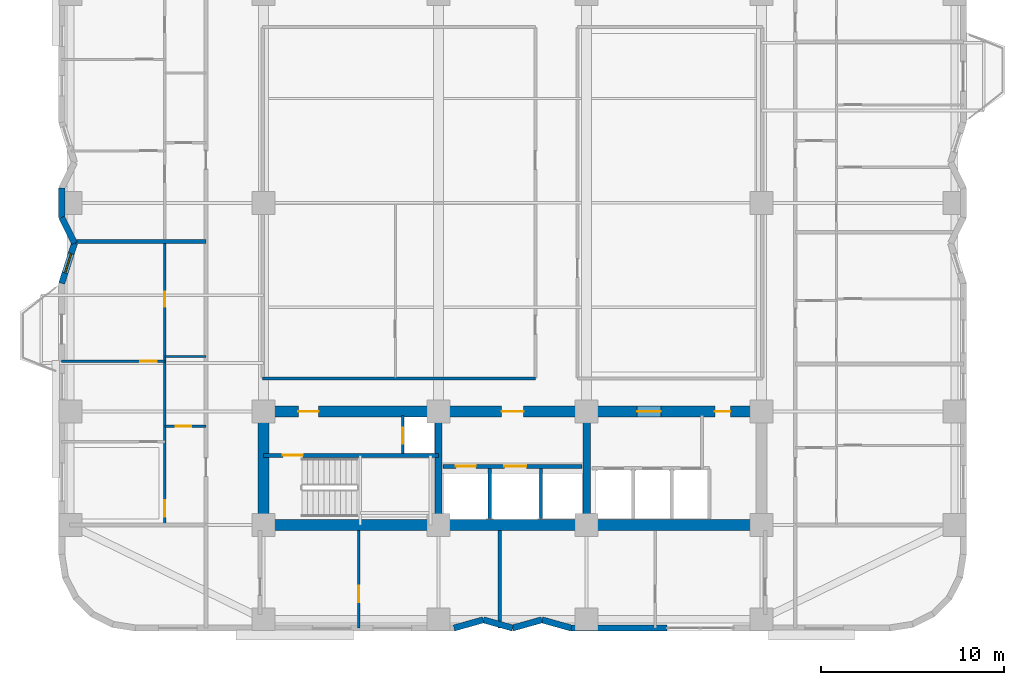
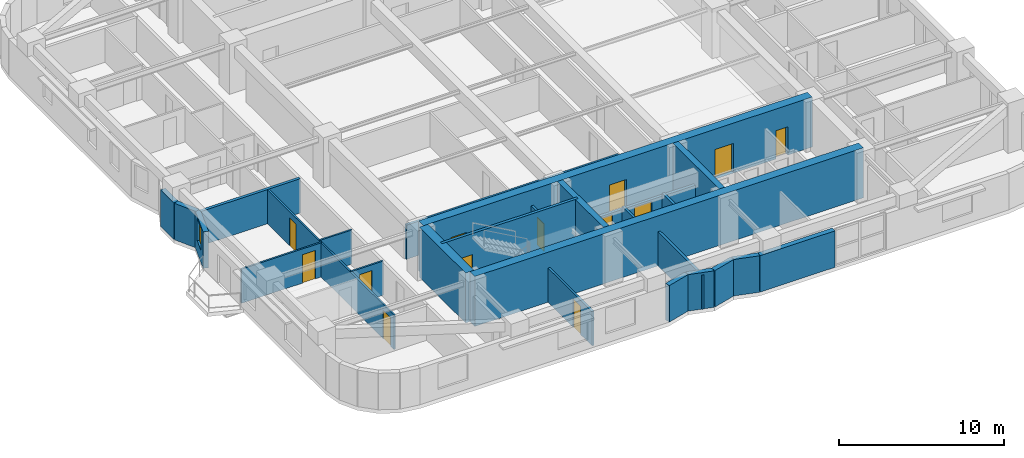
# One storey, part 6 of 13: 26 walls, 13 doors, 1 window, 14 openings.
"""IFC4 building model written with IfcOpenShell, lengths in metres."""

import ifcopenshell
import ifcopenshell.guid

model = None  # the IFC model being written
_history = None  # IfcOwnerHistory: only IFC2X3 demands one
_inside = {}  # id of a spatial element -> (the spatial element, [elements in it])
_under = {}  # id of a project, library or spatial element -> (it, [spatial elements below it])
_declared = {}  # id of a project -> (the project, [libraries it declares])
_typed = {}  # id of a type object -> (the type object, [elements of that type])
_made_of = {}  # id of a material, layer set ... -> (it, [elements and type objects made of it])


def new_model(schema):
    """Start an empty IFC model of exactly this schema.

    Asked for "IFC4X3", IfcOpenShell would pick the latest addendum, in which some entities
    have other attributes; the version numbers below select the first issue.
    IFC2X3 requires an IfcOwnerHistory on every rooted entity: one is made here for all.
    """
    global model, _history
    if schema == "IFC4X3":
        model = ifcopenshell.file(schema_version=(4, 3, 0, 0))
    else:
        model = ifcopenshell.file(schema=schema)
    _inside.clear()
    _under.clear()
    _declared.clear()
    _typed.clear()
    _made_of.clear()
    _history = None
    if model.schema == "IFC2X3":
        org = make("IfcOrganization", Name="unknown")
        user = make(
            "IfcPersonAndOrganization",
            ThePerson=make("IfcPerson", FamilyName="unknown"),
            TheOrganization=org,
        )
        app = make(
            "IfcApplication",
            ApplicationDeveloper=org,
            Version="unknown",
            ApplicationFullName="unknown",
            ApplicationIdentifier="unknown",
        )
        _history = make(
            "IfcOwnerHistory",
            OwningUser=user,
            OwningApplication=app,
            ChangeAction="ADDED",
            CreationDate=0,
        )
    return model


def make(cls, **values):
    """One entity of the class cls with the attributes given. An attribute that is None is left unset."""
    return model.create_entity(
        cls, **{name: value for name, value in values.items() if value is not None}
    )


def rooted(cls, **values):
    """An entity with a GlobalId (a new one), such as an element, a storey or a relation."""
    return make(cls, GlobalId=ifcopenshell.guid.new(), OwnerHistory=_history, **values)


def si_unit(unit_type, name, prefix=None):
    """IfcSIUnit, for example si_unit("LENGTHUNIT", "METRE", prefix="MILLI")."""
    return make("IfcSIUnit", UnitType=unit_type, Prefix=prefix, Name=name)


def assignment(units):
    """IfcUnitAssignment: the units of a project."""
    return None if units is None else make("IfcUnitAssignment", Units=units)


def point(xyz):
    """IfcCartesianPoint."""
    return None if xyz is None else make("IfcCartesianPoint", Coordinates=xyz)


def direction(xyz):
    """IfcDirection."""
    return None if xyz is None else make("IfcDirection", DirectionRatios=xyz)


def frame(location, z_axis=None, x_axis=None):
    """IfcAxis2Placement3D, a coordinate frame: its origin and axes. An axis left out is left unset."""
    return make(
        "IfcAxis2Placement3D",
        Location=point(location),
        Axis=direction(z_axis),
        RefDirection=direction(x_axis),
    )


def frame_2d(location, x_axis=None):
    """IfcAxis2Placement2D, a coordinate frame in the plane: its origin and x axis."""
    return make(
        "IfcAxis2Placement2D", Location=point(location), RefDirection=direction(x_axis)
    )


def origin():
    """The frame at (0, 0, 0) with its axes left unset."""
    return frame((0.0, 0.0, 0.0))


def place(relative_to, where):
    """IfcLocalPlacement: puts the frame where relative to a parent placement (None: the world)."""
    return make(
        "IfcLocalPlacement", PlacementRelTo=relative_to, RelativePlacement=where
    )


def context(
    kind, dimensions, precision=None, world=None, true_north=None, identifier=None
):
    """IfcGeometricRepresentationContext, for example the 3D "Model" context."""
    return make(
        "IfcGeometricRepresentationContext",
        ContextIdentifier=identifier,
        ContextType=kind,
        CoordinateSpaceDimension=dimensions,
        Precision=precision,
        WorldCoordinateSystem=world,
        TrueNorth=true_north,
    )


def subcontext(parent, identifier, kind, view, scale=None):
    """IfcGeometricRepresentationSubContext, for example "Body" below "Model"."""
    return make(
        "IfcGeometricRepresentationSubContext",
        ContextIdentifier=identifier,
        ContextType=kind,
        ParentContext=parent,
        TargetScale=scale,
        TargetView=view,
    )


def project(units=None, contexts=None):
    """IfcProject with its units and contexts."""
    return rooted(
        "IfcProject",
        Name="project",
        RepresentationContexts=contexts,
        UnitsInContext=assignment(units),
    )


def spatial(cls, under=None, at=None, **own):
    """A site, building, storey or space (cls), placed at a placement, below another one or the project."""
    s = rooted(cls, ObjectPlacement=at, **own)
    if under is not None:
        _under.setdefault(under.id(), (under, []))[1].append(s)
    return s


def profile(cls, at=None, kind="AREA", **sizes):
    """A parametric profile (cls). Its sizes go by their IFC names, for example OverallWidth=200.0."""
    return make(cls, ProfileType=kind, Position=at, **sizes)


def rectangle(**sizes):
    """IfcRectangleProfileDef."""
    return profile("IfcRectangleProfileDef", **sizes)


def extrude(swept, where, along, depth):
    """IfcExtrudedAreaSolid: the profile swept, set in the frame where, extruded along a direction by depth."""
    return make(
        "IfcExtrudedAreaSolid",
        SweptArea=swept,
        Position=where,
        ExtrudedDirection=direction(along),
        Depth=depth,
    )


def shape(context_of_items, identifier, shape_type, items):
    """IfcShapeRepresentation: the items that make up one representation, for example the "Body"."""
    return make(
        "IfcShapeRepresentation",
        ContextOfItems=context_of_items,
        RepresentationIdentifier=identifier,
        RepresentationType=shape_type,
        Items=items,
    )


def material(Name=None, Category=None):
    """IfcMaterial."""
    return make("IfcMaterial", Name=Name, Category=Category)


def layer(
    of_material, thickness, ventilated=None, Name=None, Category=None, Priority=None
):
    """IfcMaterialLayer: one layer of a wall or slab, of a material (None: an air gap)."""
    return make(
        "IfcMaterialLayer",
        Material=of_material,
        LayerThickness=thickness,
        IsVentilated=ventilated,
        Name=Name,
        Category=Category,
        Priority=Priority,
    )


def layer_set(layers, Name=None):
    """IfcMaterialLayerSet."""
    return make("IfcMaterialLayerSet", MaterialLayers=layers, LayerSetName=Name)


def made_of(thing, what):
    """Note that an element or type object is made of a material, layer set ...; save() writes the relation."""
    if what is not None:
        _made_of.setdefault(what.id(), (what, []))[1].append(thing)
    return thing


def type_object(cls, material=None, **own):
    """A type object (cls), such as IfcWallType, which elements share."""
    return made_of(rooted(cls, **own), material)


def element(
    cls,
    number,
    at=None,
    inside=None,
    cuts=None,
    type_object=None,
    material=None,
    context=None,
    identifier="Body",
    shape_type=None,
    held_by="IfcProductDefinitionShape",
    body=None,
    shapes=None,
    **own,
):
    """One element of the class cls, such as IfcWall. Its Tag is "e" and its number.

    at: its placement. inside: the storey or other place that contains it. cuts: it is an
    opening in that element (IfcRelVoidsElement). A single representation is given by context,
    identifier, shape_type and body (its items); several are given by shapes. held_by: the class
    of the entity that holds the representations. save() writes the other relations.
    """
    e = rooted(cls, Tag="e%d" % number, ObjectPlacement=at, **own)
    if body is not None:
        shapes = [shape(context, identifier, shape_type, body)]
    if shapes is not None:
        e.Representation = make(held_by, Representations=shapes)
    if inside is not None:
        _inside.setdefault(inside.id(), (inside, []))[1].append(e)
    if cuts is not None:
        rooted(
            "IfcRelVoidsElement", RelatingBuildingElement=cuts, RelatedOpeningElement=e
        )
    if type_object is not None:
        _typed.setdefault(type_object.id(), (type_object, []))[1].append(e)
    return made_of(e, material)


def fill(opening, filler):
    """IfcRelFillsElement: the door or window that sits in an opening."""
    return rooted(
        "IfcRelFillsElement",
        RelatingOpeningElement=opening,
        RelatedBuildingElement=filler,
    )


def aggregate(whole, parts):
    """IfcRelAggregates: a whole, such as a stair, and the parts it consists of."""
    return rooted("IfcRelAggregates", RelatingObject=whole, RelatedObjects=parts)


def save(model, path):
    """Write the relations noted so far, then the file.

    IfcRelAggregates (storeys below a building ...), IfcRelContainedInSpatialStructure (elements
    in a storey), IfcRelDefinesByType, IfcRelAssociatesMaterial and IfcRelDeclares: one each for
    every whole, place, type object, material and project.
    """
    for whole, parts in _under.values():
        aggregate(whole, parts)
    for where, things in _inside.values():
        rooted(
            "IfcRelContainedInSpatialStructure",
            RelatedElements=things,
            RelatingStructure=where,
        )
    for kind, things in _typed.values():
        rooted("IfcRelDefinesByType", RelatedObjects=things, RelatingType=kind)
    for what, things in _made_of.values():
        rooted("IfcRelAssociatesMaterial", RelatedObjects=things, RelatingMaterial=what)
    for by, libraries in _declared.values():
        rooted("IfcRelDeclares", RelatingContext=by, RelatedDefinitions=libraries)
    model.write(path)


model = new_model("IFC4")

# Units and contexts
model_context = context("Model", 3, precision=1e-05, world=origin(), true_north=direction((0.0, 1.0)))
body_context = subcontext(model_context, "Body", "Model", "MODEL_VIEW")
ifc_project = project(units=[si_unit("LENGTHUNIT", "METRE"), si_unit("AREAUNIT", "SQUARE_METRE"), si_unit("VOLUMEUNIT", "CUBIC_METRE"), si_unit("PLANEANGLEUNIT", "RADIAN"), si_unit("MASSUNIT", "GRAM", prefix="KILO")], contexts=[model_context])

# Site, building, storey
site_placement = place(None, origin())
site = spatial("IfcSite", under=ifc_project, at=site_placement, CompositionType="ELEMENT")
building_placement = place(site_placement, origin())
building = spatial("IfcBuilding", under=site, at=building_placement, Name="Svetorya Sky Lyceum", CompositionType="ELEMENT")
storey_placement = place(building_placement, frame((0.0, 0.0, 58.39990234375)))
storey = spatial("IfcBuildingStorey", under=building, at=storey_placement, Name="L14", CompositionType="ELEMENT", Elevation=58.39990234375)

# Walls
ifc_material_1 = material(Name="Concrete C40/50", Category="concrete")
ifc_layer_1 = layer(ifc_material_1, 0.39990234375)
ifc_layer_set_1 = layer_set([ifc_layer_1], Name="Concrete C40/50")
wall_type_1 = type_object("IfcWallType", Name="WL-CORE-400", PredefinedType="SHEAR", material=ifc_layer_set_1)
for number, where, z_axis, x_axis, name in (
    (1, (35.14990234375, 10.89990234375, 0.0), (0.0, 0.0, 1.0), (0.0, 1.0, 0.0), "L14 SC Internal Shear Web WEB1"),
    (2, (43.25, 10.89990234375, 0.0), (0.0, 0.0, 1.0), (0.0, 1.0, 0.0), "L14 SC Internal Shear Web WEB2"),
):
    element("IfcWall", number, at=place(storey_placement, frame(where, z_axis=z_axis, x_axis=x_axis)), inside=storey, type_object=wall_type_1, Name=name, PredefinedType="SHEAR", context=body_context, shape_type="SweptSolid", body=[
        extrude(rectangle(XDim=5.60009765625, YDim=0.39990234375, at=frame_2d((2.800048828125, 0.0))), origin(), (0.0, 0.0, 1.0), 3.7001953125),
    ])
ifc_material_2 = material(Name="Concrete C60/75", Category="concrete")
ifc_layer_2 = layer(ifc_material_2, 0.60009765625)
ifc_layer_set_2 = layer_set([ifc_layer_2], Name="Concrete C60/75")
wall_type_2 = type_object("IfcWallType", Name="WL-CORE-600", PredefinedType="SHEAR", material=ifc_layer_set_2)
wall_1_placement = place(storey_placement, frame((52.800048828125, 10.60009765625, 0.0), z_axis=(0.0, 0.0, 1.0), x_axis=(-1.0, 0.0, 0.0)))
element("IfcWall", 3, at=wall_1_placement, inside=storey, type_object=wall_type_2, Name="L14 SC Outer Core Shear Wall", PredefinedType="SHEAR", context=body_context, shape_type="SweptSolid", body=[
    extrude(rectangle(XDim=27.199951171875, YDim=0.60009765625, at=frame_2d((13.60009765625, 0.0))), origin(), (0.0, 0.0, 1.0), 3.7001953125),
])
wall_2_placement = place(storey_placement, frame((25.60009765625, 10.89990234375, 0.0), z_axis=(0.0, 0.0, 1.0), x_axis=(0.0, 1.0, 0.0)))
element("IfcWall", 4, at=wall_2_placement, inside=storey, type_object=wall_type_2, Name="L14 SC West Core Shear Wall", PredefinedType="SHEAR", context=body_context, shape_type="SweptSolid", body=[
    extrude(rectangle(XDim=5.60009765625, YDim=0.60009765625, at=frame_2d((2.800048828125, 0.0))), origin(), (0.0, 0.0, 1.0), 3.7001953125),
])

# Wall, openings, doors
wall_3_placement = place(storey_placement, frame((25.60009765625, 16.800048828125, 0.0), z_axis=(0.0, 0.0, 1.0), x_axis=(1.0, 0.0, 0.0)))
wall_3 = element("IfcWall", 5, at=wall_3_placement, inside=storey, type_object=wall_type_2, Name="L14 SC Inner Core Shear Wall", PredefinedType="SHEAR", context=body_context, shape_type="SweptSolid", body=[
    extrude(rectangle(XDim=27.199951171875, YDim=0.60009765625, at=frame_2d((13.60009765625, 0.0))), origin(), (0.0, 0.0, 1.0), 3.7001953125),
])
opening_1_placement = place(wall_3_placement, frame((1.89990234375, 0.0, 0.0)))
opening_1 = element("IfcOpeningElement", 6, at=opening_1_placement, cuts=wall_3, Name="Opening D-ST1", PredefinedType="OPENING", context=body_context, shape_type="SweptSolid", body=[
    extrude(rectangle(XDim=1.10009765625, YDim=2.14990234375, at=frame_2d((0.550048828125, 1.074951171875))), frame((0.0, 0.31005859375, 0.0), z_axis=(0.0, -1.0, 0.0), x_axis=(1.0, 0.0, 0.0)), (0.0, 0.0, 1.0), 0.6201171875),
])
opening_2_placement = place(wall_3_placement, frame((13.0, 0.0, 0.0)))
opening_2 = element("IfcOpeningElement", 7, at=opening_2_placement, cuts=wall_3, Name="Opening D-FL1", PredefinedType="OPENING", context=body_context, shape_type="SweptSolid", body=[
    extrude(rectangle(XDim=1.199951171875, YDim=2.14990234375, at=frame_2d((0.60009765625, 1.074951171875))), frame((0.0, 0.31005859375, 0.0), z_axis=(0.0, -1.0, 0.0), x_axis=(1.0, 0.0, 0.0)), (0.0, 0.0, 1.0), 0.6201171875),
])
opening_3_placement = place(wall_3_placement, frame((20.39990234375, 0.0, 0.0)))
opening_3 = element("IfcOpeningElement", 8, at=opening_3_placement, cuts=wall_3, Name="Opening D-LB1", PredefinedType="OPENING", context=body_context, shape_type="SweptSolid", body=[
    extrude(rectangle(XDim=1.300048828125, YDim=2.199951171875, at=frame_2d((0.64990234375, 1.10009765625))), frame((0.0, 0.31005859375, 0.0), z_axis=(0.0, -1.0, 0.0), x_axis=(1.0, 0.0, 0.0)), (0.0, 0.0, 1.0), 0.6201171875),
])
opening_4_placement = place(wall_3_placement, frame((24.64990234375, 0.0, 0.0)))
opening_4 = element("IfcOpeningElement", 9, at=opening_4_placement, cuts=wall_3, Name="Opening D-CWC1", PredefinedType="OPENING", context=body_context, shape_type="SweptSolid", body=[
    extrude(rectangle(XDim=0.85009765625, YDim=2.10009765625, at=frame_2d((0.425048828125, 1.050048828125))), frame((0.0, 0.31005859375, 0.0), z_axis=(0.0, -1.0, 0.0), x_axis=(1.0, 0.0, 0.0)), (0.0, 0.0, 1.0), 0.6201171875),
])
ifc_material_3 = material(Name="Fire-rated galvanized steel core service closet door", Category="steel")
door_type_1 = type_object("IfcDoorType", Name="DR-CWET-850", OperationType="SINGLE_SWING_LEFT", PredefinedType="DOOR", material=ifc_material_3)
door_1_placement = place(opening_4_placement, origin())
door_1 = element("IfcDoor", 10, at=door_1_placement, inside=storey, type_object=door_type_1, Name="L14 South Core Auxiliary Door", OperationType="SINGLE_SWING_LEFT", OverallHeight=2.10009765625, OverallWidth=0.85009765625, PredefinedType="DOOR", context=body_context, shape_type="SweptSolid", body=[
    extrude(rectangle(XDim=0.85009765625, YDim=2.10009765625, at=frame_2d((0.425048828125, 1.050048828125))), frame((0.0, 0.02490234375, 0.0), z_axis=(0.0, -1.0, 0.0), x_axis=(1.0, 0.0, 0.0)), (0.0, 0.0, 1.0), 0.050048828125),
])
fill(opening_4, door_1)
ifc_material_4 = material(Name="Powder-coated insulated galvanized stair fire door")
door_type_2 = type_object("IfcDoorType", Name="DR-FIRE-1100", OperationType="SINGLE_SWING_LEFT", PredefinedType="DOOR", material=ifc_material_4)
door_2_placement = place(opening_1_placement, origin())
door_2 = element("IfcDoor", 11, at=door_2_placement, inside=storey, type_object=door_type_2, Name="L14 South Stair Airlock Door", OperationType="SINGLE_SWING_RIGHT", OverallHeight=2.14990234375, OverallWidth=1.10009765625, PredefinedType="DOOR", context=body_context, shape_type="SweptSolid", body=[
    extrude(rectangle(XDim=1.10009765625, YDim=2.14990234375, at=frame_2d((0.550048828125, 1.074951171875))), frame((0.0, 0.02490234375, 0.0), z_axis=(0.0, -1.0, 0.0), x_axis=(1.0, 0.0, 0.0)), (0.0, 0.0, 1.0), 0.050048828125),
])
fill(opening_1, door_2)
ifc_material_5 = material(Name="Powder-coated insulated galvanized fire door")
door_type_3 = type_object("IfcDoorType", Name="DR-FIRE-1200", OperationType="SINGLE_SWING_LEFT", PredefinedType="DOOR", material=ifc_material_5)
door_3_placement = place(opening_2_placement, origin())
door_3 = element("IfcDoor", 12, at=door_3_placement, inside=storey, type_object=door_type_3, Name="L14 South Firefighting Lift Lobby Door", OperationType="SINGLE_SWING_LEFT", OverallHeight=2.14990234375, OverallWidth=1.199951171875, PredefinedType="DOOR", context=body_context, shape_type="SweptSolid", body=[
    extrude(rectangle(XDim=1.199951171875, YDim=2.14990234375, at=frame_2d((0.60009765625, 1.074951171875))), frame((0.0, 0.02490234375, 0.0), z_axis=(0.0, -1.0, 0.0), x_axis=(1.0, 0.0, 0.0)), (0.0, 0.0, 1.0), 0.050048828125),
])
fill(opening_2, door_3)
ifc_material_6 = material(Name="Glazed fire-rated aluminium lobby door", Category="aluminium")
door_type_4 = type_object("IfcDoorType", Name="DR-LOB-1300", OperationType="SINGLE_SWING_LEFT", PredefinedType="DOOR", material=ifc_material_6)
door_4_placement = place(opening_3_placement, origin())
door_4 = element("IfcDoor", 13, at=door_4_placement, inside=storey, type_object=door_type_4, Name="L14 Low-Rise Lift Lobby Door", OperationType="SINGLE_SWING_RIGHT", OverallHeight=2.199951171875, OverallWidth=1.300048828125, PredefinedType="DOOR", context=body_context, shape_type="SweptSolid", body=[
    extrude(rectangle(XDim=1.300048828125, YDim=2.199951171875, at=frame_2d((0.64990234375, 1.10009765625))), frame((0.0, 0.02490234375, 0.0), z_axis=(0.0, -1.0, 0.0), x_axis=(1.0, 0.0, 0.0)), (0.0, 0.0, 1.0), 0.050048828125),
])
fill(opening_3, door_4)

# Walls
ifc_material_7 = material(Name="Putilovo limestone rainscreen on autoclaved cellular masonry", Category="masonry")
ifc_layer_3 = layer(ifc_material_7, 0.340087890625)
ifc_layer_set_3 = layer_set([ifc_layer_3], Name="Putilovo limestone rainscreen on autoclaved cellular masonry")
wall_type_3 = type_object("IfcWallType", Name="WL-EXT-340", PredefinedType="SOLIDWALL", material=ifc_layer_set_3)
wall_4_placement = place(storey_placement, frame((36.0, 4.969970703125, 0.0), z_axis=(0.0, 0.0, 1.0), x_axis=(0.962662902433, 0.270703040766, 0.0)))
element("IfcWall", 14, at=wall_4_placement, inside=storey, type_object=wall_type_3, Name="L14 Limestone Exterior Wall 7M", PredefinedType="SOLIDWALL", context=body_context, shape_type="SweptSolid", body=[
    extrude(rectangle(XDim=1.662109375, YDim=0.340087890625, at=frame_2d((0.8310546875, 0.0))), origin(), (0.0, 0.0, 1.0), 2.7001953125),
])
wall_5_placement = place(storey_placement, frame((37.60009765625, 5.419921875, 0.0), z_axis=(0.0, 0.0, 1.0), x_axis=(0.962652136636, -0.270741322725, 0.0)))
element("IfcWall", 15, at=wall_5_placement, inside=storey, type_object=wall_type_3, Name="L14 Limestone Exterior Wall 8M", PredefinedType="SOLIDWALL", context=body_context, shape_type="SweptSolid", body=[
    extrude(rectangle(XDim=1.661865234375, YDim=0.340087890625, at=frame_2d((0.8310546875, 0.0))), origin(), (0.0, 0.0, 1.0), 2.7001953125),
])
wall_6_placement = place(storey_placement, frame((39.199951171875, 4.969970703125, 0.0), z_axis=(0.0, 0.0, 1.0), x_axis=(0.962662902433, 0.270703040766, 0.0)))
element("IfcWall", 16, at=wall_6_placement, inside=storey, type_object=wall_type_3, Name="L14 Limestone Exterior Wall 9M", PredefinedType="SOLIDWALL", context=body_context, shape_type="SweptSolid", body=[
    extrude(rectangle(XDim=1.662109375, YDim=0.340087890625, at=frame_2d((0.8310546875, 0.0))), origin(), (0.0, 0.0, 1.0), 2.7001953125),
])
wall_7_placement = place(storey_placement, frame((40.800048828125, 5.419921875, 0.0), z_axis=(0.0, 0.0, 1.0), x_axis=(0.962652136636, -0.270741322725, 0.0)))
element("IfcWall", 17, at=wall_7_placement, inside=storey, type_object=wall_type_3, Name="L14 Limestone Exterior Wall 10M", PredefinedType="SOLIDWALL", context=body_context, shape_type="SweptSolid", body=[
    extrude(rectangle(XDim=1.661865234375, YDim=0.340087890625, at=frame_2d((0.8310546875, 0.0))), origin(), (0.0, 0.0, 1.0), 2.7001953125),
])
wall_8_placement = place(storey_placement, frame((42.39990234375, 4.969970703125, 0.0), z_axis=(0.0, 0.0, 1.0), x_axis=(1.0, 0.0, 0.0)))
element("IfcWall", 18, at=wall_8_placement, inside=storey, type_object=wall_type_3, Name="L14 Limestone Exterior Wall 11A", PredefinedType="SOLIDWALL", context=body_context, shape_type="SweptSolid", body=[
    extrude(rectangle(XDim=5.25, YDim=0.340087890625, at=frame_2d((2.625, 0.0))), origin(), (0.0, 0.0, 1.0), 2.7001953125),
])
wall_9_placement = place(storey_placement, frame((14.570068359375, 29.0, 0.0), z_axis=(0.0, 0.0, 1.0), x_axis=(0.0, -1.0, 0.0)))
element("IfcWall", 19, at=wall_9_placement, inside=storey, type_object=wall_type_3, Name="L14 Limestone Exterior Wall 43M", PredefinedType="SOLIDWALL", context=body_context, shape_type="SweptSolid", body=[
    extrude(rectangle(XDim=1.60009765625, YDim=0.340087890625, at=frame_2d((0.800048828125, 0.0))), origin(), (0.0, 0.0, 1.0), 2.7001953125),
])
wall_10_placement = place(storey_placement, frame((14.570068359375, 27.39990234375, 0.0), z_axis=(0.0, 0.0, 1.0), x_axis=(0.4472135955, -0.894427191, 0.0)))
element("IfcWall", 20, at=wall_10_placement, inside=storey, type_object=wall_type_3, Name="L14 Limestone Exterior Wall 44M", PredefinedType="SOLIDWALL", context=body_context, shape_type="SweptSolid", body=[
    extrude(rectangle(XDim=1.565185546875, YDim=0.340087890625, at=frame_2d((0.78271484375, 0.0))), origin(), (0.0, 0.0, 1.0), 2.7001953125),
])

# Wall, opening, window
wall_11_placement = place(storey_placement, frame((15.27001953125, 26.0, 0.0), z_axis=(0.0, 0.0, 1.0), x_axis=(-0.303190562272, -0.952929946507, 0.0)))
wall_11 = element("IfcWall", 21, at=wall_11_placement, inside=storey, type_object=wall_type_3, Name="L14 Limestone Exterior Wall 45M", PredefinedType="SOLIDWALL", context=body_context, shape_type="SweptSolid", body=[
    extrude(rectangle(XDim=2.30859375, YDim=0.340087890625, at=frame_2d((1.154296875, 0.0))), origin(), (0.0, 0.0, 1.0), 2.7001953125),
])
opening_5_placement = place(wall_11_placement, frame((0.604248046875, 0.0, 0.889892578125)))
opening_5 = element("IfcOpeningElement", 22, at=opening_5_placement, cuts=wall_11, Name="Opening W-R3", PredefinedType="OPENING", context=body_context, shape_type="SweptSolid", body=[
    extrude(rectangle(XDim=1.10009765625, YDim=1.64990234375, at=frame_2d((0.550048828125, 0.824951171875))), frame((0.0, 0.179931640625, 0.0), z_axis=(0.0, -1.0, 0.0), x_axis=(1.0, 0.0, 0.0)), (0.0, 0.0, 1.0), 0.360107421875),
])
ifc_material_8 = material(Name="Thermally broken aluminium frame with triple low-E glazing", Category="aluminium")
window_type = type_object("IfcWindowType", Name="WN-RES-110", PartitioningType="SINGLE_PANEL", PredefinedType="WINDOW", material=ifc_material_8)
window_placement = place(opening_5_placement, origin())
window = element("IfcWindow", 23, at=window_placement, inside=storey, type_object=window_type, Name="L14 Facade Window W-R3.45M.1", OverallHeight=1.64990234375, OverallWidth=1.10009765625, PartitioningType="SINGLE_PANEL", PredefinedType="WINDOW", context=body_context, shape_type="SweptSolid", body=[
    extrude(rectangle(XDim=1.10009765625, YDim=1.64990234375, at=frame_2d((0.550048828125, 0.824951171875))), frame((0.0, 0.030029296875, 0.0), z_axis=(0.0, -1.0, 0.0), x_axis=(1.0, 0.0, 0.0)), (0.0, 0.0, 1.0), 0.06005859375),
])
fill(opening_5, window)

# Wall, opening, door
ifc_material_9 = material(Name="Twin-stud galvanized framing with double fireboard", Category="gypsum")
ifc_layer_4 = layer(ifc_material_9, 0.1201171875)
ifc_layer_set_4 = layer_set([ifc_layer_4], Name="Twin-stud galvanized framing with double fireboard")
wall_type_4 = type_object("IfcWallType", Name="WL-PART-120", PredefinedType="PARTITIONING", material=ifc_layer_set_4)
wall_12_placement = place(storey_placement, frame((20.199951171875, 16.0, 0.0), z_axis=(0.0, 0.0, 1.0), x_axis=(1.0, 0.0, 0.0)))
wall_12 = element("IfcWall", 24, at=wall_12_placement, inside=storey, type_object=wall_type_4, Name="L14 Interior Partition W1-WH1", PredefinedType="PARTITIONING", context=body_context, shape_type="SweptSolid", body=[
    extrude(rectangle(XDim=2.25, YDim=0.1201171875, at=frame_2d((1.125, 0.0))), origin(), (0.0, 0.0, 1.0), 2.530029296875),
])
opening_6_placement = place(wall_12_placement, frame((0.60009765625, 0.0, 0.0)))
opening_6 = element("IfcOpeningElement", 25, at=opening_6_placement, cuts=wall_12, Name="Opening D-BT1", PredefinedType="OPENING", context=body_context, shape_type="SweptSolid", body=[
    extrude(rectangle(XDim=0.85009765625, YDim=2.10009765625, at=frame_2d((0.425048828125, 1.050048828125))), frame((0.0, 0.070068359375, 0.0), z_axis=(0.0, -1.0, 0.0), x_axis=(1.0, 0.0, 0.0)), (0.0, 0.0, 1.0), 0.14013671875),
])
ifc_material_10 = material(Name="Moisture-resistant laminate bathroom door")
door_type_5 = type_object("IfcDoorType", Name="DR-WET-850", OperationType="SINGLE_SWING_LEFT", PredefinedType="DOOR", material=ifc_material_10)
door_5_placement = place(opening_6_placement, origin())
door_5 = element("IfcDoor", 26, at=door_5_placement, inside=storey, type_object=door_type_5, Name="Apartment W1 Bathroom Door", OperationType="SINGLE_SWING_LEFT", OverallHeight=2.10009765625, OverallWidth=0.85009765625, PredefinedType="DOOR", context=body_context, shape_type="SweptSolid", body=[
    extrude(rectangle(XDim=0.85009765625, YDim=2.10009765625, at=frame_2d((0.425048828125, 1.050048828125))), frame((0.0, 0.02490234375, 0.0), z_axis=(0.0, -1.0, 0.0), x_axis=(1.0, 0.0, 0.0)), (0.0, 0.0, 1.0), 0.050048828125),
])
fill(opening_6, door_5)

# Wall
wall_13_placement = place(storey_placement, frame((20.199951171875, 19.800048828125, 0.0), z_axis=(0.0, 0.0, 1.0), x_axis=(1.0, 0.0, 0.0)))
element("IfcWall", 27, at=wall_13_placement, inside=storey, type_object=wall_type_4, Name="L14 Interior Partition W1-WH2", PredefinedType="PARTITIONING", context=body_context, shape_type="SweptSolid", body=[
    extrude(rectangle(XDim=2.25, YDim=0.1201171875, at=frame_2d((1.125, 0.0))), origin(), (0.0, 0.0, 1.0), 2.530029296875),
])

# Wall, opening, door
wall_14_placement = place(storey_placement, frame((14.570068359375, 19.550048828125, 0.0), z_axis=(0.0, 0.0, 1.0), x_axis=(1.0, 0.0, 0.0)))
wall_14 = element("IfcWall", 28, at=wall_14_placement, inside=storey, type_object=wall_type_4, Name="L14 Interior Partition W1-WL2", PredefinedType="PARTITIONING", context=body_context, shape_type="SweptSolid", body=[
    extrude(rectangle(XDim=5.6298828125, YDim=0.1201171875, at=frame_2d((2.81494140625, 0.0))), origin(), (0.0, 0.0, 1.0), 2.530029296875),
])
opening_7_placement = place(wall_14_placement, frame((4.280029296875, 0.0, 0.0)))
opening_7 = element("IfcOpeningElement", 29, at=opening_7_placement, cuts=wall_14, Name="Opening D-RM1", PredefinedType="OPENING", context=body_context, shape_type="SweptSolid", body=[
    extrude(rectangle(XDim=0.89990234375, YDim=2.10009765625, at=frame_2d((0.449951171875, 1.050048828125))), frame((0.0, 0.070068359375, 0.0), z_axis=(0.0, -1.0, 0.0), x_axis=(1.0, 0.0, 0.0)), (0.0, 0.0, 1.0), 0.14013671875),
])
ifc_material_11 = material(Name="Lacquered birch veneer internal door")
door_type_6 = type_object("IfcDoorType", Name="DR-INT-900", OperationType="SINGLE_SWING_LEFT", PredefinedType="DOOR", material=ifc_material_11)
door_6_placement = place(opening_7_placement, origin())
door_6 = element("IfcDoor", 30, at=door_6_placement, inside=storey, type_object=door_type_6, Name="Apartment W1 Bedroom 2 Door", OperationType="SINGLE_SWING_RIGHT", OverallHeight=2.10009765625, OverallWidth=0.89990234375, PredefinedType="DOOR", context=body_context, shape_type="SweptSolid", body=[
    extrude(rectangle(XDim=0.89990234375, YDim=2.10009765625, at=frame_2d((0.449951171875, 1.050048828125))), frame((0.0, 0.02490234375, 0.0), z_axis=(0.0, -1.0, 0.0), x_axis=(1.0, 0.0, 0.0)), (0.0, 0.0, 1.0), 0.050048828125),
])
fill(opening_7, door_6)

# Wall, openings, doors
wall_15_placement = place(storey_placement, frame((20.199951171875, 10.639892578125, 0.0), z_axis=(0.0, 0.0, 1.0), x_axis=(0.0, 1.0, 0.0)))
wall_15 = element("IfcWall", 31, at=wall_15_placement, inside=storey, type_object=wall_type_4, Name="L14 Interior Partition W1-WV", PredefinedType="PARTITIONING", context=body_context, shape_type="SweptSolid", body=[
    extrude(rectangle(XDim=15.408203125, YDim=0.1201171875, at=frame_2d((7.7041015625, 0.0))), origin(), (0.0, 0.0, 1.0), 2.530029296875),
])
opening_8_placement = place(wall_15_placement, frame((0.409912109375, 0.0, 0.0)))
opening_8 = element("IfcOpeningElement", 32, at=opening_8_placement, cuts=wall_15, Name="Opening D-RM1", PredefinedType="OPENING", context=body_context, shape_type="SweptSolid", body=[
    extrude(rectangle(XDim=0.89990234375, YDim=2.10009765625, at=frame_2d((0.449951171875, 1.050048828125))), frame((0.0, 0.070068359375, 0.0), z_axis=(0.0, -1.0, 0.0), x_axis=(1.0, 0.0, 0.0)), (0.0, 0.0, 1.0), 0.14013671875),
])
opening_9_placement = place(wall_15_placement, frame((11.87890625, 0.0, 0.0)))
opening_9 = element("IfcOpeningElement", 33, at=opening_9_placement, cuts=wall_15, Name="Opening D-BT2", PredefinedType="OPENING", context=body_context, shape_type="SweptSolid", body=[
    extrude(rectangle(XDim=0.820068359375, YDim=2.080078125, at=frame_2d((0.41015625, 1.0400390625))), frame((0.0, 0.070068359375, 0.0), z_axis=(0.0, -1.0, 0.0), x_axis=(1.0, 0.0, 0.0)), (0.0, 0.0, 1.0), 0.14013671875),
])
door_7_placement = place(opening_8_placement, origin())
door_7 = element("IfcDoor", 34, at=door_7_placement, inside=storey, type_object=door_type_6, Name="Apartment W1 Living Door", OperationType="SINGLE_SWING_RIGHT", OverallHeight=2.10009765625, OverallWidth=0.89990234375, PredefinedType="DOOR", context=body_context, shape_type="SweptSolid", body=[
    extrude(rectangle(XDim=0.89990234375, YDim=2.10009765625, at=frame_2d((0.449951171875, 1.050048828125))), frame((0.0, 0.02490234375, 0.0), z_axis=(0.0, -1.0, 0.0), x_axis=(1.0, 0.0, 0.0)), (0.0, 0.0, 1.0), 0.050048828125),
])
fill(opening_8, door_7)
ifc_material_12 = material(Name="Compact moisture-resistant laminate closet door")
door_type_7 = type_object("IfcDoorType", Name="DR-WET-820", OperationType="SINGLE_SWING_LEFT", PredefinedType="DOOR", material=ifc_material_12)
door_8_placement = place(opening_9_placement, origin())
door_8 = element("IfcDoor", 35, at=door_8_placement, inside=storey, type_object=door_type_7, Name="Apartment W1 Study Door", OperationType="SINGLE_SWING_LEFT", OverallHeight=2.080078125, OverallWidth=0.820068359375, PredefinedType="DOOR", context=body_context, shape_type="SweptSolid", body=[
    extrude(rectangle(XDim=0.820068359375, YDim=2.080078125, at=frame_2d((0.41015625, 1.0400390625))), frame((0.0, 0.02490234375, 0.0), z_axis=(0.0, -1.0, 0.0), x_axis=(1.0, 0.0, 0.0)), (0.0, 0.0, 1.0), 0.050048828125),
])
fill(opening_9, door_8)

# Wall, opening, door
ifc_material_13 = material(Name="Autoclaved cellular masonry blockwork with acoustic render", Category="masonry")
ifc_layer_5 = layer(ifc_material_13, 0.14990234375)
ifc_layer_set_5 = layer_set([ifc_layer_5], Name="Autoclaved cellular masonry blockwork with acoustic render")
wall_type_5 = type_object("IfcWallType", Name="WL-PART-150", PredefinedType="PARTITIONING", material=ifc_layer_set_5)
wall_16_placement = place(storey_placement, frame((33.199951171875, 14.5, 0.0), z_axis=(0.0, 0.0, 1.0), x_axis=(0.0, 1.0, 0.0)))
wall_16 = element("IfcWall", 36, at=wall_16_placement, inside=storey, type_object=wall_type_5, Name="L14 Interior Partition SC-AIRDIV", PredefinedType="PARTITIONING", context=body_context, shape_type="SweptSolid", body=[
    extrude(rectangle(XDim=2.080078125, YDim=0.14990234375, at=frame_2d((1.0400390625, 0.0))), origin(), (0.0, 0.0, 1.0), 2.530029296875),
])
opening_10_placement = place(wall_16_placement, frame((0.550048828125, 0.0, 0.0)))
opening_10 = element("IfcOpeningElement", 37, at=opening_10_placement, cuts=wall_16, Name="Opening D-SH1", PredefinedType="OPENING", context=body_context, shape_type="SweptSolid", body=[
    extrude(rectangle(XDim=0.85009765625, YDim=2.050048828125, at=frame_2d((0.425048828125, 1.02490234375))), frame((0.0, 0.0849609375, 0.0), z_axis=(0.0, -1.0, 0.0), x_axis=(1.0, 0.0, 0.0)), (0.0, 0.0, 1.0), 0.169921875),
])
ifc_material_14 = material(Name="Insulated galvanized riser inspection fire door")
door_type_8 = type_object("IfcDoorType", Name="DR-SHFT-850", OperationType="SINGLE_SWING_LEFT", PredefinedType="TRAPDOOR", material=ifc_material_14)
door_9_placement = place(opening_10_placement, origin())
door_9 = element("IfcDoor", 38, at=door_9_placement, inside=storey, type_object=door_type_8, Name="L14 South Riser Access Door", OperationType="SINGLE_SWING_RIGHT", OverallHeight=2.050048828125, OverallWidth=0.85009765625, PredefinedType="TRAPDOOR", context=body_context, shape_type="SweptSolid", body=[
    extrude(rectangle(XDim=0.85009765625, YDim=2.050048828125, at=frame_2d((0.425048828125, 1.02490234375))), frame((0.0, 0.02490234375, 0.0), z_axis=(0.0, -1.0, 0.0), x_axis=(1.0, 0.0, 0.0)), (0.0, 0.0, 1.0), 0.050048828125),
])
fill(opening_10, door_9)

wall_17_placement = place(storey_placement, frame((30.800048828125, 4.969970703125, 0.0), z_axis=(0.0, 0.0, 1.0), x_axis=(0.0, 1.0, 0.0)))
wall_17 = element("IfcWall", 39, at=wall_17_placement, inside=storey, type_object=wall_type_5, Name="L14 Interior Partition S4-D1", PredefinedType="PARTITIONING", context=body_context, shape_type="SweptSolid", body=[
    extrude(rectangle(XDim=5.330078125, YDim=0.14990234375, at=frame_2d((2.6650390625, 0.0))), origin(), (0.0, 0.0, 1.0), 2.530029296875),
])
opening_11_placement = place(wall_17_placement, frame((1.39990234375, 0.0, 0.0)))
opening_11 = element("IfcOpeningElement", 40, at=opening_11_placement, cuts=wall_17, Name="Opening D-RM1", PredefinedType="OPENING", context=body_context, shape_type="SweptSolid", body=[
    extrude(rectangle(XDim=0.89990234375, YDim=2.10009765625, at=frame_2d((0.449951171875, 1.050048828125))), frame((0.0, 0.0849609375, 0.0), z_axis=(0.0, -1.0, 0.0), x_axis=(1.0, 0.0, 0.0)), (0.0, 0.0, 1.0), 0.169921875),
])
door_10_placement = place(opening_11_placement, origin())
door_10 = element("IfcDoor", 41, at=door_10_placement, inside=storey, type_object=door_type_6, Name="L14 South Suite Door 1", OperationType="SINGLE_SWING_LEFT", OverallHeight=2.10009765625, OverallWidth=0.89990234375, PredefinedType="DOOR", context=body_context, shape_type="SweptSolid", body=[
    extrude(rectangle(XDim=0.89990234375, YDim=2.10009765625, at=frame_2d((0.449951171875, 1.050048828125))), frame((0.0, 0.02490234375, 0.0), z_axis=(0.0, -1.0, 0.0), x_axis=(1.0, 0.0, 0.0)), (0.0, 0.0, 1.0), 0.050048828125),
])
fill(opening_11, door_10)

# Walls
ifc_material_15 = material(Name="Autoclaved cellular masonry blockwork with fire render", Category="masonry")
ifc_layer_6 = layer(ifc_material_15, 0.175048828125)
ifc_layer_set_6 = layer_set([ifc_layer_6], Name="Autoclaved cellular masonry blockwork with fire render")
wall_type_6 = type_object("IfcWallType", Name="WL-PART-175", PredefinedType="PARTITIONING", material=ifc_layer_set_6)
for number, where, z_axis, x_axis, name in (
    (42, (37.949951171875, 10.949951171875, 0.0), (0.0, 0.0, 1.0), (0.0, 1.0, 0.0), "L14 Interior Partition SC-SHD1"),
    (43, (40.75, 10.949951171875, 0.0), (0.0, 0.0, 1.0), (0.0, 1.0, 0.0), "L14 Interior Partition SC-SHD2"),
):
    element("IfcWall", number, at=place(storey_placement, frame(where, z_axis=z_axis, x_axis=x_axis)), inside=storey, type_object=wall_type_6, Name=name, PredefinedType="PARTITIONING", context=body_context, shape_type="SweptSolid", body=[
        extrude(rectangle(XDim=2.75, YDim=0.175048828125, at=frame_2d((1.375, 0.0))), origin(), (0.0, 0.0, 1.0), 2.530029296875),
    ])
wall_18_placement = place(storey_placement, frame((25.550048828125, 18.60009765625, 0.0), z_axis=(0.0, 0.0, 1.0), x_axis=(1.0, 0.0, 0.0)))
element("IfcWall", 44, at=wall_18_placement, inside=storey, type_object=wall_type_6, Name="L14 Interior Partition CS-MID-W", PredefinedType="PARTITIONING", context=body_context, shape_type="SweptSolid", body=[
    extrude(rectangle(XDim=14.89990234375, YDim=0.175048828125, at=frame_2d((7.449951171875, 0.0))), origin(), (0.0, 0.0, 1.0), 2.530029296875),
])
wall_19_placement = place(storey_placement, frame((38.5, 4.969970703125, 0.0), z_axis=(0.0, 0.0, 1.0), x_axis=(0.0, 1.0, 0.0)))
element("IfcWall", 45, at=wall_19_placement, inside=storey, type_object=wall_type_6, Name="L14 Interior Partition S4-D2", PredefinedType="PARTITIONING", context=body_context, shape_type="SweptSolid", body=[
    extrude(rectangle(XDim=5.330078125, YDim=0.175048828125, at=frame_2d((2.6650390625, 0.0))), origin(), (0.0, 0.0, 1.0), 2.530029296875),
])

# Wall, openings, doors
ifc_material_16 = material(Name="Autoclaved cellular masonry blockwork with gypsum plaster", Category="masonry")
ifc_layer_7 = layer(ifc_material_16, 0.199951171875)
ifc_layer_set_7 = layer_set([ifc_layer_7], Name="Autoclaved cellular masonry blockwork with gypsum plaster")
wall_type_7 = type_object("IfcWallType", Name="WL-PART-200", PredefinedType="PARTITIONING", material=ifc_layer_set_7)
wall_20_placement = place(storey_placement, frame((35.39990234375, 13.800048828125, 0.0), z_axis=(0.0, 0.0, 1.0), x_axis=(1.0, 0.0, 0.0)))
wall_20 = element("IfcWall", 46, at=wall_20_placement, inside=storey, type_object=wall_type_7, Name="L14 Interior Partition SC-FLW", PredefinedType="PARTITIONING", context=body_context, shape_type="SweptSolid", body=[
    extrude(rectangle(XDim=7.60009765625, YDim=0.199951171875, at=frame_2d((3.800048828125, 0.0))), origin(), (0.0, 0.0, 1.0), 2.300048828125),
])
opening_12_placement = place(wall_20_placement, frame((0.699951171875, 0.0, 0.0)))
opening_12 = element("IfcOpeningElement", 47, at=opening_12_placement, cuts=wall_20, Name="Opening LD-FL", PredefinedType="OPENING", context=body_context, shape_type="SweptSolid", body=[
    extrude(rectangle(XDim=1.10009765625, YDim=2.14990234375, at=frame_2d((0.550048828125, 1.074951171875))), frame((0.0, 0.10986328125, 0.0), z_axis=(0.0, -1.0, 0.0), x_axis=(1.0, 0.0, 0.0)), (0.0, 0.0, 1.0), 0.219970703125),
])
opening_13_placement = place(wall_20_placement, frame((3.35009765625, 0.0, 0.0)))
opening_13 = element("IfcOpeningElement", 48, at=opening_13_placement, cuts=wall_20, Name="Opening LD-SV", PredefinedType="OPENING", context=body_context, shape_type="SweptSolid", body=[
    extrude(rectangle(XDim=1.199951171875, YDim=2.14990234375, at=frame_2d((0.60009765625, 1.074951171875))), frame((0.0, 0.10986328125, 0.0), z_axis=(0.0, -1.0, 0.0), x_axis=(1.0, 0.0, 0.0)), (0.0, 0.0, 1.0), 0.219970703125),
])
ifc_material_17 = material(Name="Fire-rated stainless AISI 304 firefighting lift landing door")
door_type_9 = type_object("IfcDoorType", Name="DR-LIFT-1100", OperationType="SLIDING_TO_LEFT", PredefinedType="DOOR", material=ifc_material_17)
door_11_placement = place(opening_12_placement, origin())
door_11 = element("IfcDoor", 49, at=door_11_placement, inside=storey, type_object=door_type_9, Name="L14 Firefighting Lift FL2 Landing Door", OperationType="SLIDING_TO_LEFT", OverallHeight=2.14990234375, OverallWidth=1.10009765625, PredefinedType="DOOR", context=body_context, shape_type="SweptSolid", body=[
    extrude(rectangle(XDim=1.10009765625, YDim=2.14990234375, at=frame_2d((0.550048828125, 1.074951171875))), frame((0.0, 0.02490234375, 0.0), z_axis=(0.0, -1.0, 0.0), x_axis=(1.0, 0.0, 0.0)), (0.0, 0.0, 1.0), 0.050048828125),
])
fill(opening_12, door_11)
ifc_material_18 = material(Name="Brushed stainless AISI 304 telescopic lift landing door")
door_type_10 = type_object("IfcDoorType", Name="DR-LIFT-1200", OperationType="SLIDING_TO_LEFT", PredefinedType="DOOR", material=ifc_material_18)
door_12_placement = place(opening_13_placement, origin())
door_12 = element("IfcDoor", 50, at=door_12_placement, inside=storey, type_object=door_type_10, Name="L14 Service Lift SVL1 Landing Door", OperationType="SLIDING_TO_LEFT", OverallHeight=2.14990234375, OverallWidth=1.199951171875, PredefinedType="DOOR", context=body_context, shape_type="SweptSolid", body=[
    extrude(rectangle(XDim=1.199951171875, YDim=2.14990234375, at=frame_2d((0.60009765625, 1.074951171875))), frame((0.0, 0.02490234375, 0.0), z_axis=(0.0, -1.0, 0.0), x_axis=(1.0, 0.0, 0.0)), (0.0, 0.0, 1.0), 0.050048828125),
])
fill(opening_13, door_12)

# Wall
wall_21_placement = place(storey_placement, frame((15.22607421875, 26.087890625, 0.0), z_axis=(0.0, 0.0, 1.0), x_axis=(1.0, 0.0, 0.0)))
element("IfcWall", 51, at=wall_21_placement, inside=storey, type_object=wall_type_7, Name="L14 Interior Partition W-PARTY-1", PredefinedType="PARTITIONING", context=body_context, shape_type="SweptSolid", body=[
    extrude(rectangle(XDim=7.223876953125, YDim=0.199951171875, at=frame_2d((3.61181640625, 0.0))), origin(), (0.0, 0.0, 1.0), 2.530029296875),
])

# Wall, opening, door
ifc_material_19 = material(Name="Concrete C50/60", Category="concrete")
ifc_layer_8 = layer(ifc_material_19, 0.199951171875)
ifc_layer_set_8 = layer_set([ifc_layer_8], Name="Concrete C50/60")
wall_type_8 = type_object("IfcWallType", Name="WL-SHW-200", PredefinedType="SHEAR", material=ifc_layer_set_8)
wall_22_placement = place(storey_placement, frame((25.60009765625, 14.39990234375, 0.0), z_axis=(0.0, 0.0, 1.0), x_axis=(1.0, 0.0, 0.0)))
wall_22 = element("IfcWall", 52, at=wall_22_placement, inside=storey, type_object=wall_type_8, Name="L14 Structural Stair Shaft Wall SC-STW", PredefinedType="SHEAR", context=body_context, shape_type="SweptSolid", body=[
    extrude(rectangle(XDim=9.5498046875, YDim=0.199951171875, at=frame_2d((4.77490234375, 0.0))), origin(), (0.0, 0.0, 1.0), 3.7001953125),
])
opening_14_placement = place(wall_22_placement, frame((1.050048828125, 0.0, 0.0)))
opening_14 = element("IfcOpeningElement", 53, at=opening_14_placement, cuts=wall_22, Name="Opening D-ST1", PredefinedType="OPENING", context=body_context, shape_type="SweptSolid", body=[
    extrude(rectangle(XDim=1.10009765625, YDim=2.14990234375, at=frame_2d((0.550048828125, 1.074951171875))), frame((0.0, 0.10986328125, 0.0), z_axis=(0.0, -1.0, 0.0), x_axis=(1.0, 0.0, 0.0)), (0.0, 0.0, 1.0), 0.219970703125),
])
door_13_placement = place(opening_14_placement, origin())
door_13 = element("IfcDoor", 54, at=door_13_placement, inside=storey, type_object=door_type_2, Name="L14 Stair ST-S Vestibule Fire Door", OperationType="SINGLE_SWING_LEFT", OverallHeight=2.14990234375, OverallWidth=1.10009765625, PredefinedType="DOOR", context=body_context, shape_type="SweptSolid", body=[
    extrude(rectangle(XDim=1.10009765625, YDim=2.14990234375, at=frame_2d((0.550048828125, 1.074951171875))), frame((0.0, 0.02490234375, 0.0), z_axis=(0.0, -1.0, 0.0), x_axis=(1.0, 0.0, 0.0)), (0.0, 0.0, 1.0), 0.050048828125),
])
fill(opening_14, door_13)

save(model, "model.ifc")
